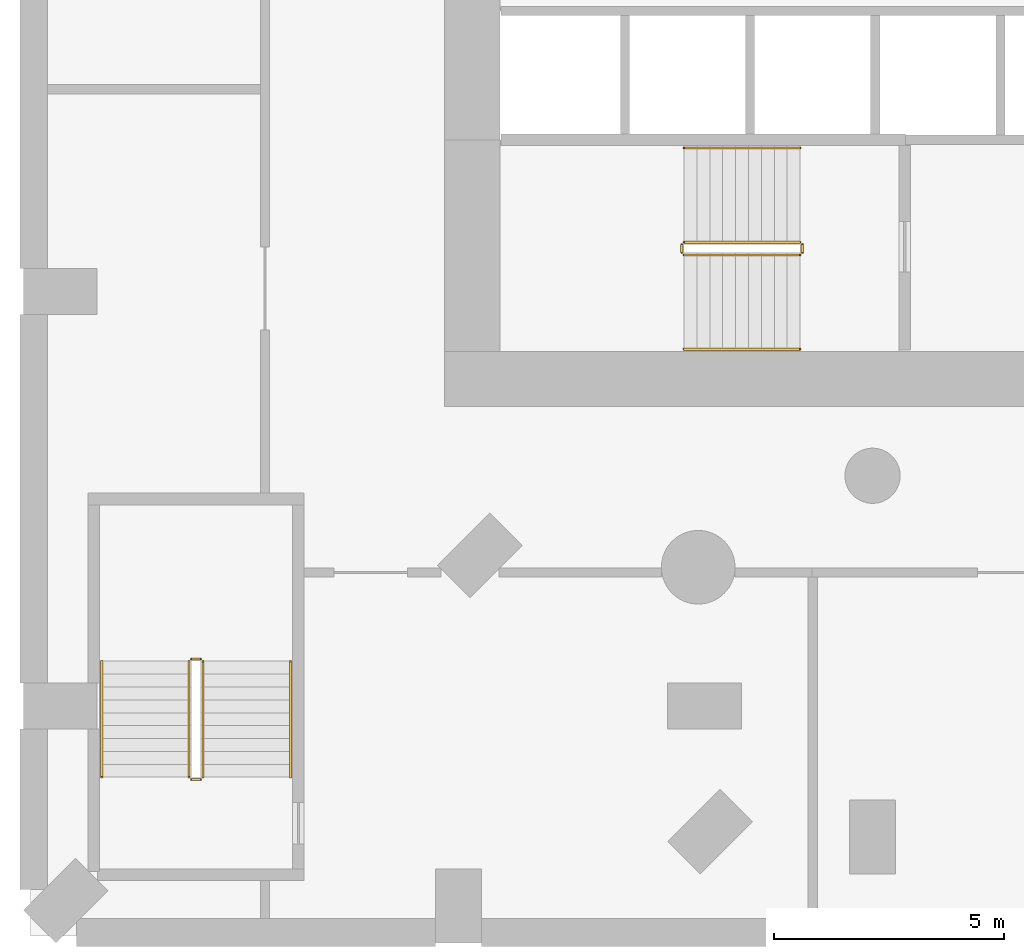
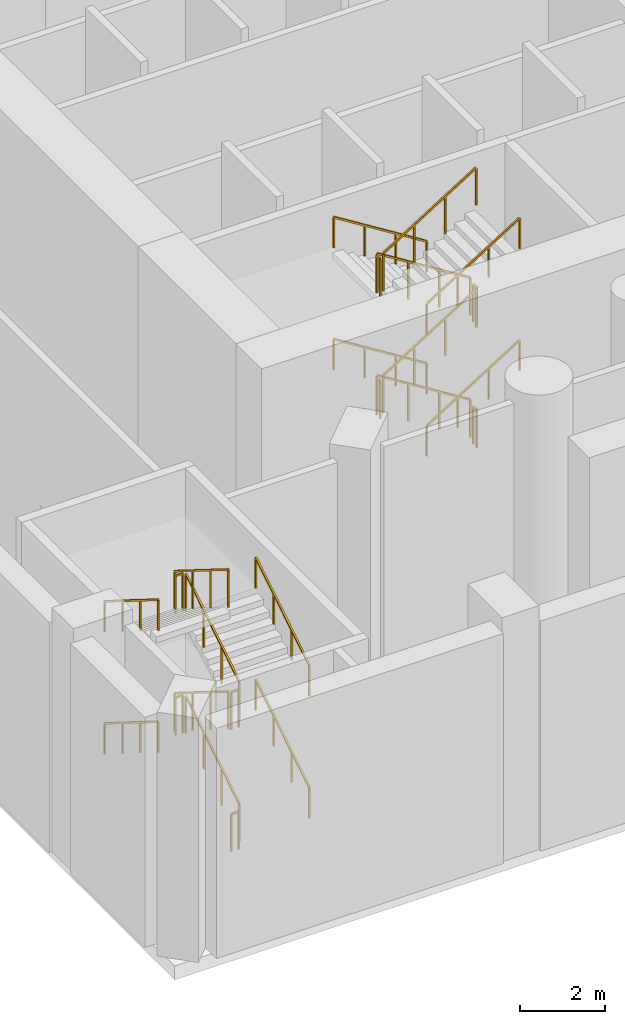
# One storey, part 18 of 21: 24 railings.
"""IFC4 building model written with IfcOpenShell, lengths in metres."""

from ifc_helpers import new_model, si_unit, direction, frame, origin, origin_2d, place, context, subcontext, project, spatial, rectangle, extrude, material, type_object, element, save


model = new_model("IFC4")

# Units and contexts
model_context = context("Model", 3, precision=1e-05, world=origin(), true_north=direction((0.0, 1.0)))
body_context = subcontext(model_context, "Body", "Model", "MODEL_VIEW")
ifc_project = project(units=[si_unit("LENGTHUNIT", "METRE"), si_unit("AREAUNIT", "SQUARE_METRE"), si_unit("VOLUMEUNIT", "CUBIC_METRE"), si_unit("PLANEANGLEUNIT", "RADIAN"), si_unit("MASSUNIT", "GRAM", prefix="KILO")], contexts=[model_context])

# Site, building, storey
site_placement = place(None, origin())
site = spatial("IfcSite", under=ifc_project, at=site_placement, CompositionType="ELEMENT")
building_placement = place(site_placement, origin())
building = spatial("IfcBuilding", under=site, at=building_placement, Name="Cypress Arch Tower", CompositionType="ELEMENT")
storey_placement = place(building_placement, frame((0.0, 0.0, 29.0)))
storey = spatial("IfcBuildingStorey", under=building, at=storey_placement, Name="L03", CompositionType="ELEMENT", Elevation=29.0)

# Railings
ifc_material_1 = material(Name="Black powder-coated steel square bar 48 mm", Category="steel")
railing_type_1 = type_object("IfcRailingType", Name="Stair handrail HR1", PredefinedType="HANDRAIL", material=ifc_material_1)
railing_1_placement = place(storey_placement, frame((-22.27490234375, -10.375, 0.175048828125)))
element("IfcRailing", 1, at=railing_1_placement, inside=storey, type_object=railing_type_1, Name="L03 A stair handrail 1", PredefinedType="HANDRAIL", context=body_context, shape_type="SweptSolid", body=[
    extrude(rectangle(XDim=0.048095703125, YDim=0.048095703125, at=origin_2d()), frame((0.0, 0.0, 0.8759765625), z_axis=(-0.848007534815, 0.0, 0.529984170421), x_axis=(0.0, -1.0, 0.0)), (0.0, 0.0, 1.0), 2.9716796875),
    extrude(rectangle(XDim=0.0419921875, YDim=0.0419921875, at=origin_2d()), origin(), (0.0, 0.0, 1.0), 0.851806640625),
    extrude(rectangle(XDim=0.0419921875, YDim=0.0419921875, at=origin_2d()), frame((-0.840087890625, 0.0, 0.52490234375)), (0.0, 0.0, 1.0), 0.851806640625),
    extrude(rectangle(XDim=0.0419921875, YDim=0.0419921875, at=origin_2d()), frame((-1.679931640625, 0.0, 1.050048828125)), (0.0, 0.0, 1.0), 0.851806640625),
    extrude(rectangle(XDim=0.0419921875, YDim=0.0419921875, at=origin_2d()), frame((-2.52001953125, 0.0, 1.574951171875)), (0.0, 0.0, 1.0), 0.851806640625),
])
railing_2_placement = place(storey_placement, frame((-24.794921875, -14.75, 1.925048828125)))
element("IfcRailing", 2, at=railing_2_placement, inside=storey, type_object=railing_type_1, Name="L03 A stair handrail 2", PredefinedType="HANDRAIL", context=body_context, shape_type="SweptSolid", body=[
    extrude(rectangle(XDim=0.048095703125, YDim=0.048095703125, at=origin_2d()), frame((0.0, 0.0, 0.8759765625), z_axis=(0.848007534815, 0.0, 0.529984170421), x_axis=(0.0, 1.0, 0.0)), (0.0, 0.0, 1.0), 2.9716796875),
    extrude(rectangle(XDim=0.0419921875, YDim=0.0419921875, at=origin_2d()), origin(), (0.0, 0.0, 1.0), 0.851806640625),
    extrude(rectangle(XDim=0.0419921875, YDim=0.0419921875, at=origin_2d()), frame((0.840087890625, 0.0, 0.52490234375)), (0.0, 0.0, 1.0), 0.851806640625),
    extrude(rectangle(XDim=0.0419921875, YDim=0.0419921875, at=origin_2d()), frame((1.679931640625, 0.0, 1.050048828125)), (0.0, 0.0, 1.0), 0.851806640625),
    extrude(rectangle(XDim=0.0419921875, YDim=0.0419921875, at=origin_2d()), frame((2.52001953125, 0.0, 1.574951171875)), (0.0, 0.0, 1.0), 0.851806640625),
])
railing_3_placement = place(storey_placement, frame((-22.27490234375, -10.375, 3.675048828125)))
element("IfcRailing", 3, at=railing_3_placement, inside=storey, type_object=railing_type_1, Name="L03 A stair handrail 3", PredefinedType="HANDRAIL", context=body_context, shape_type="SweptSolid", body=[
    extrude(rectangle(XDim=0.048095703125, YDim=0.048095703125, at=origin_2d()), frame((0.0, 0.0, 0.8759765625), z_axis=(-0.848007534815, 0.0, 0.529984170421), x_axis=(0.0, -1.0, 0.0)), (0.0, 0.0, 1.0), 2.9716796875),
    extrude(rectangle(XDim=0.0419921875, YDim=0.0419921875, at=origin_2d()), origin(), (0.0, 0.0, 1.0), 0.851806640625),
    extrude(rectangle(XDim=0.0419921875, YDim=0.0419921875, at=origin_2d()), frame((-0.840087890625, 0.0, 0.52490234375)), (0.0, 0.0, 1.0), 0.851806640625),
    extrude(rectangle(XDim=0.0419921875, YDim=0.0419921875, at=origin_2d()), frame((-1.679931640625, 0.0, 1.050048828125)), (0.0, 0.0, 1.0), 0.851806640625),
    extrude(rectangle(XDim=0.0419921875, YDim=0.0419921875, at=origin_2d()), frame((-2.52001953125, 0.0, 1.574951171875)), (0.0, 0.0, 1.0), 0.851806640625),
])
railing_4_placement = place(storey_placement, frame((-24.794921875, -14.75, 5.425048828125)))
element("IfcRailing", 4, at=railing_4_placement, inside=storey, type_object=railing_type_1, Name="L03 A stair handrail 4", PredefinedType="HANDRAIL", context=body_context, shape_type="SweptSolid", body=[
    extrude(rectangle(XDim=0.048095703125, YDim=0.048095703125, at=origin_2d()), frame((0.0, 0.0, 0.8759765625), z_axis=(0.848007534815, 0.0, 0.529984170421), x_axis=(0.0, 1.0, 0.0)), (0.0, 0.0, 1.0), 2.9716796875),
    extrude(rectangle(XDim=0.0419921875, YDim=0.0419921875, at=origin_2d()), origin(), (0.0, 0.0, 1.0), 0.851806640625),
    extrude(rectangle(XDim=0.0419921875, YDim=0.0419921875, at=origin_2d()), frame((0.840087890625, 0.0, 0.52490234375)), (0.0, 0.0, 1.0), 0.851806640625),
    extrude(rectangle(XDim=0.0419921875, YDim=0.0419921875, at=origin_2d()), frame((1.679931640625, 0.0, 1.050048828125)), (0.0, 0.0, 1.0), 0.851806640625),
    extrude(rectangle(XDim=0.0419921875, YDim=0.0419921875, at=origin_2d()), frame((2.52001953125, 0.0, 1.574951171875)), (0.0, 0.0, 1.0), 0.851806640625),
])
railing_5_placement = place(storey_placement, frame((-33.35009765625, -24.050048828125, 0.175048828125)))
element("IfcRailing", 5, at=railing_5_placement, inside=storey, type_object=railing_type_1, Name="L03 P1 stair handrail 1", PredefinedType="HANDRAIL", context=body_context, shape_type="SweptSolid", body=[
    extrude(rectangle(XDim=0.048095703125, YDim=0.048095703125, at=origin_2d()), frame((0.0, 0.0, 0.8759765625), z_axis=(0.0, 0.848007534815, 0.529984170421), x_axis=(-1.0, 0.0, 0.0)), (0.0, 0.0, 1.0), 2.9716796875),
    extrude(rectangle(XDim=0.0419921875, YDim=0.0419921875, at=origin_2d()), origin(), (0.0, 0.0, 1.0), 0.851806640625),
    extrude(rectangle(XDim=0.0419921875, YDim=0.0419921875, at=origin_2d()), frame((0.0, 0.840087890625, 0.52490234375)), (0.0, 0.0, 1.0), 0.851806640625),
    extrude(rectangle(XDim=0.0419921875, YDim=0.0419921875, at=origin_2d()), frame((0.0, 1.679931640625, 1.050048828125)), (0.0, 0.0, 1.0), 0.851806640625),
    extrude(rectangle(XDim=0.0419921875, YDim=0.0419921875, at=origin_2d()), frame((0.0, 2.52001953125, 1.574951171875)), (0.0, 0.0, 1.0), 0.851806640625),
])
railing_6_placement = place(storey_placement, frame((-37.449951171875, -21.530029296875, 1.925048828125)))
element("IfcRailing", 6, at=railing_6_placement, inside=storey, type_object=railing_type_1, Name="L03 P1 stair handrail 2", PredefinedType="HANDRAIL", context=body_context, shape_type="SweptSolid", body=[
    extrude(rectangle(XDim=0.048095703125, YDim=0.048095703125, at=origin_2d()), frame((0.0, 0.0, 0.8759765625), z_axis=(0.0, -0.848007534815, 0.529984170421), x_axis=(1.0, 0.0, 0.0)), (0.0, 0.0, 1.0), 2.9716796875),
    extrude(rectangle(XDim=0.0419921875, YDim=0.0419921875, at=origin_2d()), origin(), (0.0, 0.0, 1.0), 0.851806640625),
    extrude(rectangle(XDim=0.0419921875, YDim=0.0419921875, at=origin_2d()), frame((0.0, -0.840087890625, 0.52490234375)), (0.0, 0.0, 1.0), 0.851806640625),
    extrude(rectangle(XDim=0.0419921875, YDim=0.0419921875, at=origin_2d()), frame((0.0, -1.679931640625, 1.050048828125)), (0.0, 0.0, 1.0), 0.851806640625),
    extrude(rectangle(XDim=0.0419921875, YDim=0.0419921875, at=origin_2d()), frame((0.0, -2.52001953125, 1.574951171875)), (0.0, 0.0, 1.0), 0.851806640625),
])
railing_7_placement = place(storey_placement, frame((-33.35009765625, -24.050048828125, 3.675048828125)))
element("IfcRailing", 7, at=railing_7_placement, inside=storey, type_object=railing_type_1, Name="L03 P1 stair handrail 3", PredefinedType="HANDRAIL", context=body_context, shape_type="SweptSolid", body=[
    extrude(rectangle(XDim=0.048095703125, YDim=0.048095703125, at=origin_2d()), frame((0.0, 0.0, 0.8759765625), z_axis=(0.0, 0.848007534815, 0.529984170421), x_axis=(-1.0, 0.0, 0.0)), (0.0, 0.0, 1.0), 2.9716796875),
    extrude(rectangle(XDim=0.0419921875, YDim=0.0419921875, at=origin_2d()), origin(), (0.0, 0.0, 1.0), 0.851806640625),
    extrude(rectangle(XDim=0.0419921875, YDim=0.0419921875, at=origin_2d()), frame((0.0, 0.840087890625, 0.52490234375)), (0.0, 0.0, 1.0), 0.851806640625),
    extrude(rectangle(XDim=0.0419921875, YDim=0.0419921875, at=origin_2d()), frame((0.0, 1.679931640625, 1.050048828125)), (0.0, 0.0, 1.0), 0.851806640625),
    extrude(rectangle(XDim=0.0419921875, YDim=0.0419921875, at=origin_2d()), frame((0.0, 2.52001953125, 1.574951171875)), (0.0, 0.0, 1.0), 0.851806640625),
])
railing_8_placement = place(storey_placement, frame((-37.449951171875, -21.530029296875, 5.425048828125)))
element("IfcRailing", 8, at=railing_8_placement, inside=storey, type_object=railing_type_1, Name="L03 P1 stair handrail 4", PredefinedType="HANDRAIL", context=body_context, shape_type="SweptSolid", body=[
    extrude(rectangle(XDim=0.048095703125, YDim=0.048095703125, at=origin_2d()), frame((0.0, 0.0, 0.8759765625), z_axis=(0.0, -0.848007534815, 0.529984170421), x_axis=(1.0, 0.0, 0.0)), (0.0, 0.0, 1.0), 2.9716796875),
    extrude(rectangle(XDim=0.0419921875, YDim=0.0419921875, at=origin_2d()), origin(), (0.0, 0.0, 1.0), 0.851806640625),
    extrude(rectangle(XDim=0.0419921875, YDim=0.0419921875, at=origin_2d()), frame((0.0, -0.840087890625, 0.52490234375)), (0.0, 0.0, 1.0), 0.851806640625),
    extrude(rectangle(XDim=0.0419921875, YDim=0.0419921875, at=origin_2d()), frame((0.0, -1.679931640625, 1.050048828125)), (0.0, 0.0, 1.0), 0.851806640625),
    extrude(rectangle(XDim=0.0419921875, YDim=0.0419921875, at=origin_2d()), frame((0.0, -2.52001953125, 1.574951171875)), (0.0, 0.0, 1.0), 0.851806640625),
])
ifc_material_2 = material(Name="Black powder-coated steel balusters", Category="steel")
railing_type_2 = type_object("IfcRailingType", Name="Stair well guard G1", PredefinedType="GUARDRAIL", material=ifc_material_2)
railing_9_placement = place(storey_placement, frame((-22.27490234375, -12.425048828125, 0.175048828125)))
element("IfcRailing", 9, at=railing_9_placement, inside=storey, type_object=railing_type_2, Name="L03 A stair guard 1", PredefinedType="GUARDRAIL", context=body_context, shape_type="SweptSolid", body=[
    extrude(rectangle(XDim=0.048095703125, YDim=0.048095703125, at=origin_2d()), frame((0.0, 0.0, 1.076171875), z_axis=(-0.848007534815, 0.0, 0.529984170421), x_axis=(0.0, -1.0, 0.0)), (0.0, 0.0, 1.0), 2.9716796875),
    extrude(rectangle(XDim=0.0419921875, YDim=0.0419921875, at=origin_2d()), origin(), (0.0, 0.0, 1.0), 1.052001953125),
    extrude(rectangle(XDim=0.0419921875, YDim=0.0419921875, at=origin_2d()), frame((-0.840087890625, 0.0, 0.52490234375)), (0.0, 0.0, 1.0), 1.052001953125),
    extrude(rectangle(XDim=0.0419921875, YDim=0.0419921875, at=origin_2d()), frame((-1.679931640625, 0.0, 1.050048828125)), (0.0, 0.0, 1.0), 1.052001953125),
    extrude(rectangle(XDim=0.0419921875, YDim=0.0419921875, at=origin_2d()), frame((-2.52001953125, 0.0, 1.574951171875)), (0.0, 0.0, 1.0), 1.052001953125),
])
railing_10_placement = place(storey_placement, frame((-24.844970703125, -12.47509765625, 1.75)))
element("IfcRailing", 10, at=railing_10_placement, inside=storey, type_object=railing_type_2, Name="L03 A stair guard 2", PredefinedType="GUARDRAIL", context=body_context, shape_type="SweptSolid", body=[
    extrude(rectangle(XDim=0.048095703125, YDim=0.048095703125, at=origin_2d()), frame((0.0, 0.0, 1.076171875), z_axis=(0.0, -1.0, 0.0), x_axis=(1.0, 0.0, 0.0)), (0.0, 0.0, 1.0), 0.1748046875),
    extrude(rectangle(XDim=0.0419921875, YDim=0.0419921875, at=origin_2d()), origin(), (0.0, 0.0, 1.0), 1.052001953125),
    extrude(rectangle(XDim=0.0419921875, YDim=0.0419921875, at=origin_2d()), frame((0.0, -0.1748046875, 0.0)), (0.0, 0.0, 1.0), 1.052001953125),
])
railing_11_placement = place(storey_placement, frame((-24.794921875, -12.699951171875, 1.925048828125)))
element("IfcRailing", 11, at=railing_11_placement, inside=storey, type_object=railing_type_2, Name="L03 A stair guard 3", PredefinedType="GUARDRAIL", context=body_context, shape_type="SweptSolid", body=[
    extrude(rectangle(XDim=0.048095703125, YDim=0.048095703125, at=origin_2d()), frame((0.0, 0.0, 1.076171875), z_axis=(0.848007534815, 0.0, 0.529984170421), x_axis=(0.0, 1.0, 0.0)), (0.0, 0.0, 1.0), 2.9716796875),
    extrude(rectangle(XDim=0.0419921875, YDim=0.0419921875, at=origin_2d()), origin(), (0.0, 0.0, 1.0), 1.052001953125),
    extrude(rectangle(XDim=0.0419921875, YDim=0.0419921875, at=origin_2d()), frame((0.840087890625, 0.0, 0.52490234375)), (0.0, 0.0, 1.0), 1.052001953125),
    extrude(rectangle(XDim=0.0419921875, YDim=0.0419921875, at=origin_2d()), frame((1.679931640625, 0.0, 1.050048828125)), (0.0, 0.0, 1.0), 1.052001953125),
    extrude(rectangle(XDim=0.0419921875, YDim=0.0419921875, at=origin_2d()), frame((2.52001953125, 0.0, 1.574951171875)), (0.0, 0.0, 1.0), 1.052001953125),
])
railing_12_placement = place(storey_placement, frame((-22.22509765625, -12.47509765625, 3.5)))
element("IfcRailing", 12, at=railing_12_placement, inside=storey, type_object=railing_type_2, Name="L03 A stair guard 4", PredefinedType="GUARDRAIL", context=body_context, shape_type="SweptSolid", body=[
    extrude(rectangle(XDim=0.048095703125, YDim=0.048095703125, at=origin_2d()), frame((0.0, 0.0, 1.076171875), z_axis=(0.0, -1.0, 0.0), x_axis=(1.0, 0.0, 0.0)), (0.0, 0.0, 1.0), 0.1748046875),
    extrude(rectangle(XDim=0.0419921875, YDim=0.0419921875, at=origin_2d()), origin(), (0.0, 0.0, 1.0), 1.052001953125),
    extrude(rectangle(XDim=0.0419921875, YDim=0.0419921875, at=origin_2d()), frame((0.0, -0.1748046875, 0.0)), (0.0, 0.0, 1.0), 1.052001953125),
])
railing_13_placement = place(storey_placement, frame((-22.27490234375, -12.425048828125, 3.675048828125)))
element("IfcRailing", 13, at=railing_13_placement, inside=storey, type_object=railing_type_2, Name="L03 A stair guard 5", PredefinedType="GUARDRAIL", context=body_context, shape_type="SweptSolid", body=[
    extrude(rectangle(XDim=0.048095703125, YDim=0.048095703125, at=origin_2d()), frame((0.0, 0.0, 1.076171875), z_axis=(-0.848007534815, 0.0, 0.529984170421), x_axis=(0.0, -1.0, 0.0)), (0.0, 0.0, 1.0), 2.9716796875),
    extrude(rectangle(XDim=0.0419921875, YDim=0.0419921875, at=origin_2d()), origin(), (0.0, 0.0, 1.0), 1.052001953125),
    extrude(rectangle(XDim=0.0419921875, YDim=0.0419921875, at=origin_2d()), frame((-0.840087890625, 0.0, 0.52490234375)), (0.0, 0.0, 1.0), 1.052001953125),
    extrude(rectangle(XDim=0.0419921875, YDim=0.0419921875, at=origin_2d()), frame((-1.679931640625, 0.0, 1.050048828125)), (0.0, 0.0, 1.0), 1.052001953125),
    extrude(rectangle(XDim=0.0419921875, YDim=0.0419921875, at=origin_2d()), frame((-2.52001953125, 0.0, 1.574951171875)), (0.0, 0.0, 1.0), 1.052001953125),
])
railing_14_placement = place(storey_placement, frame((-24.844970703125, -12.47509765625, 5.25)))
element("IfcRailing", 14, at=railing_14_placement, inside=storey, type_object=railing_type_2, Name="L03 A stair guard 6", PredefinedType="GUARDRAIL", context=body_context, shape_type="SweptSolid", body=[
    extrude(rectangle(XDim=0.048095703125, YDim=0.048095703125, at=origin_2d()), frame((0.0, 0.0, 1.076171875), z_axis=(0.0, -1.0, 0.0), x_axis=(1.0, 0.0, 0.0)), (0.0, 0.0, 1.0), 0.1748046875),
    extrude(rectangle(XDim=0.0419921875, YDim=0.0419921875, at=origin_2d()), origin(), (0.0, 0.0, 1.0), 1.052001953125),
    extrude(rectangle(XDim=0.0419921875, YDim=0.0419921875, at=origin_2d()), frame((0.0, -0.1748046875, 0.0)), (0.0, 0.0, 1.0), 1.052001953125),
])
railing_15_placement = place(storey_placement, frame((-24.794921875, -12.699951171875, 5.425048828125)))
element("IfcRailing", 15, at=railing_15_placement, inside=storey, type_object=railing_type_2, Name="L03 A stair guard 7", PredefinedType="GUARDRAIL", context=body_context, shape_type="SweptSolid", body=[
    extrude(rectangle(XDim=0.048095703125, YDim=0.048095703125, at=origin_2d()), frame((0.0, 0.0, 1.076171875), z_axis=(0.848007534815, 0.0, 0.529984170421), x_axis=(0.0, 1.0, 0.0)), (0.0, 0.0, 1.0), 2.9716796875),
    extrude(rectangle(XDim=0.0419921875, YDim=0.0419921875, at=origin_2d()), origin(), (0.0, 0.0, 1.0), 1.052001953125),
    extrude(rectangle(XDim=0.0419921875, YDim=0.0419921875, at=origin_2d()), frame((0.840087890625, 0.0, 0.52490234375)), (0.0, 0.0, 1.0), 1.052001953125),
    extrude(rectangle(XDim=0.0419921875, YDim=0.0419921875, at=origin_2d()), frame((1.679931640625, 0.0, 1.050048828125)), (0.0, 0.0, 1.0), 1.052001953125),
    extrude(rectangle(XDim=0.0419921875, YDim=0.0419921875, at=origin_2d()), frame((2.52001953125, 0.0, 1.574951171875)), (0.0, 0.0, 1.0), 1.052001953125),
])
railing_16_placement = place(storey_placement, frame((-22.22509765625, -12.47509765625, 0.0)))
element("IfcRailing", 16, at=railing_16_placement, inside=storey, type_object=railing_type_2, Name="L03 A stair guard 8", PredefinedType="GUARDRAIL", context=body_context, shape_type="SweptSolid", body=[
    extrude(rectangle(XDim=0.048095703125, YDim=0.048095703125, at=origin_2d()), frame((0.0, 0.0, 1.076171875), z_axis=(0.0, -1.0, 0.0), x_axis=(1.0, 0.0, 0.0)), (0.0, 0.0, 1.0), 0.1748046875),
    extrude(rectangle(XDim=0.0419921875, YDim=0.0419921875, at=origin_2d()), origin(), (0.0, 0.0, 1.0), 1.052001953125),
    extrude(rectangle(XDim=0.0419921875, YDim=0.0419921875, at=origin_2d()), frame((0.0, -0.1748046875, 0.0)), (0.0, 0.0, 1.0), 1.052001953125),
])
railing_17_placement = place(storey_placement, frame((-35.25, -24.050048828125, 0.175048828125)))
element("IfcRailing", 17, at=railing_17_placement, inside=storey, type_object=railing_type_2, Name="L03 P1 stair guard 1", PredefinedType="GUARDRAIL", context=body_context, shape_type="SweptSolid", body=[
    extrude(rectangle(XDim=0.048095703125, YDim=0.048095703125, at=origin_2d()), frame((0.0, 0.0, 1.076171875), z_axis=(0.0, 0.848007534815, 0.529984170421), x_axis=(-1.0, 0.0, 0.0)), (0.0, 0.0, 1.0), 2.9716796875),
    extrude(rectangle(XDim=0.0419921875, YDim=0.0419921875, at=origin_2d()), origin(), (0.0, 0.0, 1.0), 1.052001953125),
    extrude(rectangle(XDim=0.0419921875, YDim=0.0419921875, at=origin_2d()), frame((0.0, 0.840087890625, 0.52490234375)), (0.0, 0.0, 1.0), 1.052001953125),
    extrude(rectangle(XDim=0.0419921875, YDim=0.0419921875, at=origin_2d()), frame((0.0, 1.679931640625, 1.050048828125)), (0.0, 0.0, 1.0), 1.052001953125),
    extrude(rectangle(XDim=0.0419921875, YDim=0.0419921875, at=origin_2d()), frame((0.0, 2.52001953125, 1.574951171875)), (0.0, 0.0, 1.0), 1.052001953125),
])
railing_18_placement = place(storey_placement, frame((-35.300048828125, -21.47998046875, 1.75)))
element("IfcRailing", 18, at=railing_18_placement, inside=storey, type_object=railing_type_2, Name="L03 P1 stair guard 2", PredefinedType="GUARDRAIL", context=body_context, shape_type="SweptSolid", body=[
    extrude(rectangle(XDim=0.048095703125, YDim=0.048095703125, at=origin_2d()), frame((0.0, 0.0, 1.076171875), z_axis=(-1.0, 0.0, 0.0), x_axis=(0.0, -1.0, 0.0)), (0.0, 0.0, 1.0), 0.199951171875),
    extrude(rectangle(XDim=0.0419921875, YDim=0.0419921875, at=origin_2d()), origin(), (0.0, 0.0, 1.0), 1.052001953125),
    extrude(rectangle(XDim=0.0419921875, YDim=0.0419921875, at=origin_2d()), frame((-0.199951171875, 0.0, 0.0)), (0.0, 0.0, 1.0), 1.052001953125),
])
railing_19_placement = place(storey_placement, frame((-35.550048828125, -21.530029296875, 1.925048828125)))
element("IfcRailing", 19, at=railing_19_placement, inside=storey, type_object=railing_type_2, Name="L03 P1 stair guard 3", PredefinedType="GUARDRAIL", context=body_context, shape_type="SweptSolid", body=[
    extrude(rectangle(XDim=0.048095703125, YDim=0.048095703125, at=origin_2d()), frame((0.0, 0.0, 1.076171875), z_axis=(0.0, -0.848007534815, 0.529984170421), x_axis=(1.0, 0.0, 0.0)), (0.0, 0.0, 1.0), 2.9716796875),
    extrude(rectangle(XDim=0.0419921875, YDim=0.0419921875, at=origin_2d()), origin(), (0.0, 0.0, 1.0), 1.052001953125),
    extrude(rectangle(XDim=0.0419921875, YDim=0.0419921875, at=origin_2d()), frame((0.0, -0.840087890625, 0.52490234375)), (0.0, 0.0, 1.0), 1.052001953125),
    extrude(rectangle(XDim=0.0419921875, YDim=0.0419921875, at=origin_2d()), frame((0.0, -1.679931640625, 1.050048828125)), (0.0, 0.0, 1.0), 1.052001953125),
    extrude(rectangle(XDim=0.0419921875, YDim=0.0419921875, at=origin_2d()), frame((0.0, -2.52001953125, 1.574951171875)), (0.0, 0.0, 1.0), 1.052001953125),
])
railing_20_placement = place(storey_placement, frame((-35.300048828125, -24.10009765625, 3.5)))
element("IfcRailing", 20, at=railing_20_placement, inside=storey, type_object=railing_type_2, Name="L03 P1 stair guard 4", PredefinedType="GUARDRAIL", context=body_context, shape_type="SweptSolid", body=[
    extrude(rectangle(XDim=0.048095703125, YDim=0.048095703125, at=origin_2d()), frame((0.0, 0.0, 1.076171875), z_axis=(-1.0, 0.0, 0.0), x_axis=(0.0, -1.0, 0.0)), (0.0, 0.0, 1.0), 0.199951171875),
    extrude(rectangle(XDim=0.0419921875, YDim=0.0419921875, at=origin_2d()), origin(), (0.0, 0.0, 1.0), 1.052001953125),
    extrude(rectangle(XDim=0.0419921875, YDim=0.0419921875, at=origin_2d()), frame((-0.199951171875, 0.0, 0.0)), (0.0, 0.0, 1.0), 1.052001953125),
])
railing_21_placement = place(storey_placement, frame((-35.25, -24.050048828125, 3.675048828125)))
element("IfcRailing", 21, at=railing_21_placement, inside=storey, type_object=railing_type_2, Name="L03 P1 stair guard 5", PredefinedType="GUARDRAIL", context=body_context, shape_type="SweptSolid", body=[
    extrude(rectangle(XDim=0.048095703125, YDim=0.048095703125, at=origin_2d()), frame((0.0, 0.0, 1.076171875), z_axis=(0.0, 0.848007534815, 0.529984170421), x_axis=(-1.0, 0.0, 0.0)), (0.0, 0.0, 1.0), 2.9716796875),
    extrude(rectangle(XDim=0.0419921875, YDim=0.0419921875, at=origin_2d()), origin(), (0.0, 0.0, 1.0), 1.052001953125),
    extrude(rectangle(XDim=0.0419921875, YDim=0.0419921875, at=origin_2d()), frame((0.0, 0.840087890625, 0.52490234375)), (0.0, 0.0, 1.0), 1.052001953125),
    extrude(rectangle(XDim=0.0419921875, YDim=0.0419921875, at=origin_2d()), frame((0.0, 1.679931640625, 1.050048828125)), (0.0, 0.0, 1.0), 1.052001953125),
    extrude(rectangle(XDim=0.0419921875, YDim=0.0419921875, at=origin_2d()), frame((0.0, 2.52001953125, 1.574951171875)), (0.0, 0.0, 1.0), 1.052001953125),
])
railing_22_placement = place(storey_placement, frame((-35.300048828125, -21.47998046875, 5.25)))
element("IfcRailing", 22, at=railing_22_placement, inside=storey, type_object=railing_type_2, Name="L03 P1 stair guard 6", PredefinedType="GUARDRAIL", context=body_context, shape_type="SweptSolid", body=[
    extrude(rectangle(XDim=0.048095703125, YDim=0.048095703125, at=origin_2d()), frame((0.0, 0.0, 1.076171875), z_axis=(-1.0, 0.0, 0.0), x_axis=(0.0, -1.0, 0.0)), (0.0, 0.0, 1.0), 0.199951171875),
    extrude(rectangle(XDim=0.0419921875, YDim=0.0419921875, at=origin_2d()), origin(), (0.0, 0.0, 1.0), 1.052001953125),
    extrude(rectangle(XDim=0.0419921875, YDim=0.0419921875, at=origin_2d()), frame((-0.199951171875, 0.0, 0.0)), (0.0, 0.0, 1.0), 1.052001953125),
])
railing_23_placement = place(storey_placement, frame((-35.550048828125, -21.530029296875, 5.425048828125)))
element("IfcRailing", 23, at=railing_23_placement, inside=storey, type_object=railing_type_2, Name="L03 P1 stair guard 7", PredefinedType="GUARDRAIL", context=body_context, shape_type="SweptSolid", body=[
    extrude(rectangle(XDim=0.048095703125, YDim=0.048095703125, at=origin_2d()), frame((0.0, 0.0, 1.076171875), z_axis=(0.0, -0.848007534815, 0.529984170421), x_axis=(1.0, 0.0, 0.0)), (0.0, 0.0, 1.0), 2.9716796875),
    extrude(rectangle(XDim=0.0419921875, YDim=0.0419921875, at=origin_2d()), origin(), (0.0, 0.0, 1.0), 1.052001953125),
    extrude(rectangle(XDim=0.0419921875, YDim=0.0419921875, at=origin_2d()), frame((0.0, -0.840087890625, 0.52490234375)), (0.0, 0.0, 1.0), 1.052001953125),
    extrude(rectangle(XDim=0.0419921875, YDim=0.0419921875, at=origin_2d()), frame((0.0, -1.679931640625, 1.050048828125)), (0.0, 0.0, 1.0), 1.052001953125),
    extrude(rectangle(XDim=0.0419921875, YDim=0.0419921875, at=origin_2d()), frame((0.0, -2.52001953125, 1.574951171875)), (0.0, 0.0, 1.0), 1.052001953125),
])
railing_24_placement = place(storey_placement, frame((-35.300048828125, -24.10009765625, 0.0)))
element("IfcRailing", 24, at=railing_24_placement, inside=storey, type_object=railing_type_2, Name="L03 P1 stair guard 8", PredefinedType="GUARDRAIL", context=body_context, shape_type="SweptSolid", body=[
    extrude(rectangle(XDim=0.048095703125, YDim=0.048095703125, at=origin_2d()), frame((0.0, 0.0, 1.076171875), z_axis=(-1.0, 0.0, 0.0), x_axis=(0.0, -1.0, 0.0)), (0.0, 0.0, 1.0), 0.199951171875),
    extrude(rectangle(XDim=0.0419921875, YDim=0.0419921875, at=origin_2d()), origin(), (0.0, 0.0, 1.0), 1.052001953125),
    extrude(rectangle(XDim=0.0419921875, YDim=0.0419921875, at=origin_2d()), frame((-0.199951171875, 0.0, 0.0)), (0.0, 0.0, 1.0), 1.052001953125),
])

save(model, "model.ifc")
